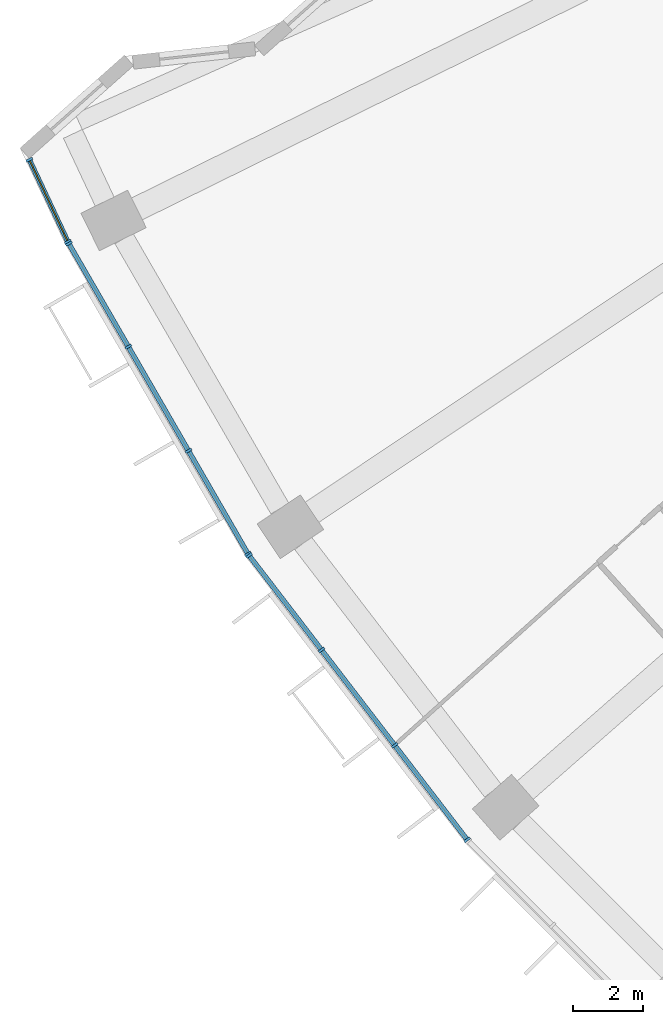
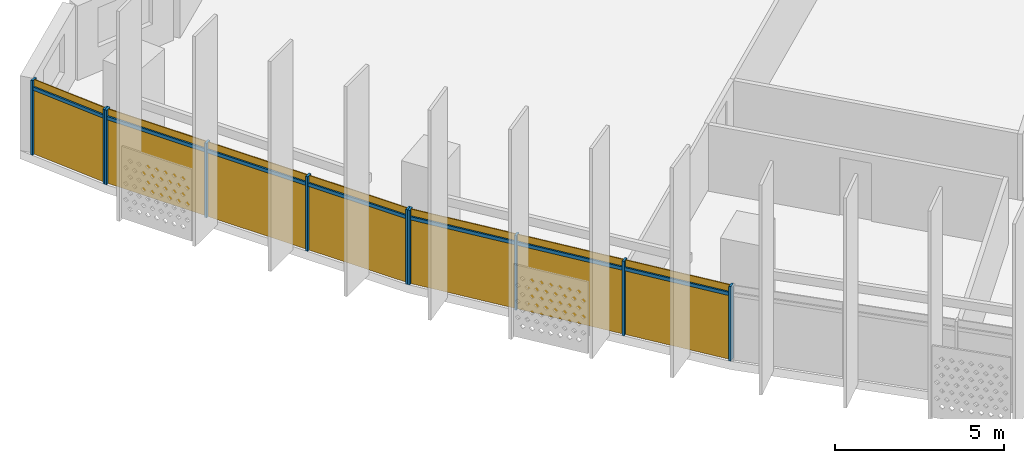
# One storey, part 21 of 30: 17 members, 3 curtain walls.
"""IFC4 building model written with IfcOpenShell, lengths in metres."""

from ifc_helpers import new_model, si_unit, direction, frame, origin, origin_2d, place, context, subcontext, project, spatial, rectangle, extrude, material, material_profile, profile_set, type_object, element, aggregate, save


model = new_model("IFC4")

# Units and contexts
model_context = context("Model", 3, precision=1e-05, world=origin(), true_north=direction((0.0, 1.0)))
body_context = subcontext(model_context, "Body", "Model", "MODEL_VIEW")
ifc_project = project(units=[si_unit("LENGTHUNIT", "METRE"), si_unit("AREAUNIT", "SQUARE_METRE"), si_unit("VOLUMEUNIT", "CUBIC_METRE"), si_unit("PLANEANGLEUNIT", "RADIAN"), si_unit("MASSUNIT", "GRAM", prefix="KILO")], contexts=[model_context])

# Member
ifc_material = material(Name="Aluminium 6063-T6 anodised", Category="aluminium")
ifc_material_profile_1 = material_profile(ifc_material, rectangle(XDim=0.199951171875, YDim=0.070068359375, at=origin_2d()))
ifc_profile_set_1 = profile_set([ifc_material_profile_1], Name="Aluminium 6063-T6 anodised")
member_type_1 = type_object("IfcMemberType", Name="Mullion 70 x 200 aluminium", PredefinedType="MULLION", material=ifc_profile_set_1)
site_placement = place(None, origin())
building_placement = place(site_placement, origin())
storey_placement = place(building_placement, frame((0.0, 0.0, 125.300048828125)))
member_1_placement = place(storey_placement, frame((-72.1533203125, -32.64111328125, 0.0), z_axis=(0.0, 0.0, 1.0), x_axis=(0.90523944049, 0.424901818519, 0.0)))
member_1 = element("IfcMember", 1, at=member_1_placement, type_object=member_type_1, Name="e-cw1-L28-out00/M00", PredefinedType="MULLION", context=body_context, shape_type="SweptSolid", body=[
    extrude(rectangle(XDim=0.199951171875, YDim=0.070068359375, at=origin_2d()), origin(), (0.0, 0.0, 1.0), 2.699951171875),
])

member_2_placement = place(storey_placement, frame((-71.04638671875, -34.999267578125, 0.0), z_axis=(0.0, 0.0, 1.0), x_axis=(0.90523944049, 0.424901818519, 0.0)))
member_2 = element("IfcMember", 2, at=member_2_placement, type_object=member_type_1, Name="e-cw1-L28-out00/M01", PredefinedType="MULLION", context=body_context, shape_type="SweptSolid", body=[
    extrude(rectangle(XDim=0.199951171875, YDim=0.070068359375, at=origin_2d()), origin(), (0.0, 0.0, 1.0), 2.699951171875),
])

member_3_placement = place(storey_placement, frame((-71.017822265625, -35.0537109375, 0.0), z_axis=(0.0, 0.0, 1.0), x_axis=(0.866025403784, 0.5, 0.0)))
member_3 = element("IfcMember", 3, at=member_3_placement, type_object=member_type_1, Name="e-cw1-L28-out01/M00", PredefinedType="MULLION", context=body_context, shape_type="SweptSolid", body=[
    extrude(rectangle(XDim=0.199951171875, YDim=0.070068359375, at=origin_2d()), origin(), (0.0, 0.0, 1.0), 2.699951171875),
])

member_4_placement = place(storey_placement, frame((-69.306640625, -38.017822265625, 0.0), z_axis=(0.0, 0.0, 1.0), x_axis=(0.866025403784, 0.5, 0.0)))
member_4 = element("IfcMember", 4, at=member_4_placement, type_object=member_type_1, Name="e-cw1-L28-out01/M01", PredefinedType="MULLION", context=body_context, shape_type="SweptSolid", body=[
    extrude(rectangle(XDim=0.199951171875, YDim=0.070068359375, at=origin_2d()), origin(), (0.0, 0.0, 1.0), 2.699951171875),
])

member_5_placement = place(storey_placement, frame((-67.577880859375, -41.01220703125, 0.0), z_axis=(0.0, 0.0, 1.0), x_axis=(0.866025403784, 0.5, 0.0)))
member_5 = element("IfcMember", 5, at=member_5_placement, type_object=member_type_1, Name="e-cw1-L28-out01/M02", PredefinedType="MULLION", context=body_context, shape_type="SweptSolid", body=[
    extrude(rectangle(XDim=0.199951171875, YDim=0.070068359375, at=origin_2d()), origin(), (0.0, 0.0, 1.0), 2.699951171875),
])

member_6_placement = place(storey_placement, frame((-65.866455078125, -43.976318359375, 0.0), z_axis=(0.0, 0.0, 1.0), x_axis=(0.866025403784, 0.5, 0.0)))
member_6 = element("IfcMember", 6, at=member_6_placement, type_object=member_type_1, Name="e-cw1-L28-out01/M03", PredefinedType="MULLION", context=body_context, shape_type="SweptSolid", body=[
    extrude(rectangle(XDim=0.199951171875, YDim=0.070068359375, at=origin_2d()), origin(), (0.0, 0.0, 1.0), 2.699951171875),
])

member_7_placement = place(storey_placement, frame((-65.8349609375, -44.023681640625, 0.0), z_axis=(0.0, 0.0, 1.0), x_axis=(0.793353340291, 0.608761429009, 0.0)))
member_7 = element("IfcMember", 7, at=member_7_placement, type_object=member_type_1, Name="e-cw1-L28-out02/M00", PredefinedType="MULLION", context=body_context, shape_type="SweptSolid", body=[
    extrude(rectangle(XDim=0.199951171875, YDim=0.070068359375, at=origin_2d()), origin(), (0.0, 0.0, 1.0), 2.699951171875),
])

member_8_placement = place(storey_placement, frame((-63.751220703125, -46.739013671875, 0.0), z_axis=(0.0, 0.0, 1.0), x_axis=(0.793353340291, 0.608761429009, 0.0)))
member_8 = element("IfcMember", 8, at=member_8_placement, type_object=member_type_1, Name="e-cw1-L28-out02/M01", PredefinedType="MULLION", context=body_context, shape_type="SweptSolid", body=[
    extrude(rectangle(XDim=0.199951171875, YDim=0.070068359375, at=origin_2d()), origin(), (0.0, 0.0, 1.0), 2.699951171875),
])

member_9_placement = place(storey_placement, frame((-61.646484375, -49.482177734375, 0.0), z_axis=(0.0, 0.0, 1.0), x_axis=(0.793353340291, 0.608761429009, 0.0)))
member_9 = element("IfcMember", 9, at=member_9_placement, type_object=member_type_1, Name="e-cw1-L28-out02/M02", PredefinedType="MULLION", context=body_context, shape_type="SweptSolid", body=[
    extrude(rectangle(XDim=0.199951171875, YDim=0.070068359375, at=origin_2d()), origin(), (0.0, 0.0, 1.0), 2.699951171875),
])

member_10_placement = place(storey_placement, frame((-59.56298828125, -52.197509765625, 0.0), z_axis=(0.0, 0.0, 1.0), x_axis=(0.793353340291, 0.608761429009, 0.0)))
member_10 = element("IfcMember", 10, at=member_10_placement, type_object=member_type_1, Name="e-cw1-L28-out02/M03", PredefinedType="MULLION", context=body_context, shape_type="SweptSolid", body=[
    extrude(rectangle(XDim=0.199951171875, YDim=0.070068359375, at=origin_2d()), origin(), (0.0, 0.0, 1.0), 2.699951171875),
])

ifc_material_profile_2 = material_profile(ifc_material, rectangle(XDim=0.139892578125, YDim=0.1201171875, at=origin_2d()))
ifc_profile_set_2 = profile_set([ifc_material_profile_2], Name="Aluminium 6063-T6 anodised")
member_type_2 = type_object("IfcMemberType", Name="Transom 120 x 140 aluminium", PredefinedType="USERDEFINED", material=ifc_profile_set_2)
member_11_placement = place(storey_placement, frame((-72.138427734375, -32.6728515625, 2.39990234375), z_axis=(0.424924854242, -0.905228627611, 0.0), x_axis=(0.905228627611, 0.424924854242, 0.0)))
member_11 = element("IfcMember", 11, at=member_11_placement, type_object=member_type_2, Name="e-cw1-L28-out00/T00", ObjectType="TRANSOM", PredefinedType="USERDEFINED", context=body_context, shape_type="SweptSolid", body=[
    extrude(rectangle(XDim=0.139892578125, YDim=0.1201171875, at=origin_2d()), origin(), (0.0, 0.0, 1.0), 2.534912109375),
])

member_12_placement = place(storey_placement, frame((-71.00048828125, -35.084228515625, 2.39990234375), z_axis=(0.50006283963, -0.865989120267, 0.0), x_axis=(0.865989120267, 0.50006283963, 0.0)))
member_12 = element("IfcMember", 12, at=member_12_placement, type_object=member_type_2, Name="e-cw1-L28-out01/T00", ObjectType="TRANSOM", PredefinedType="USERDEFINED", context=body_context, shape_type="SweptSolid", body=[
    extrude(rectangle(XDim=0.139892578125, YDim=0.1201171875, at=origin_2d()), origin(), (0.0, 0.0, 1.0), 3.3525390625),
])

member_13_placement = place(storey_placement, frame((-69.2890625, -38.048095703125, 2.39990234375), z_axis=(0.499999017107, -0.866025971257, 0.0), x_axis=(0.866025971257, 0.499999017107, 0.0)))
member_13 = element("IfcMember", 13, at=member_13_placement, type_object=member_type_2, Name="e-cw1-L28-out01/T01", ObjectType="TRANSOM", PredefinedType="USERDEFINED", context=body_context, shape_type="SweptSolid", body=[
    extrude(rectangle(XDim=0.139892578125, YDim=0.1201171875, at=origin_2d()), origin(), (0.0, 0.0, 1.0), 3.3876953125),
])

member_14_placement = place(storey_placement, frame((-67.560302734375, -41.042724609375, 2.39990234375), z_axis=(0.50000822536, -0.866020654818, 0.0), x_axis=(0.866020654818, 0.50000822536, 0.0)))
member_14 = element("IfcMember", 14, at=member_14_placement, type_object=member_type_2, Name="e-cw1-L28-out01/T02", ObjectType="TRANSOM", PredefinedType="USERDEFINED", context=body_context, shape_type="SweptSolid", body=[
    extrude(rectangle(XDim=0.139892578125, YDim=0.1201171875, at=origin_2d()), origin(), (0.0, 0.0, 1.0), 3.3525390625),
])

member_15_placement = place(storey_placement, frame((-65.8134765625, -44.05126953125, 2.39990234375), z_axis=(0.608714331426, -0.793389477316, 0.0), x_axis=(0.793389477316, 0.608714331426, 0.0)))
member_15 = element("IfcMember", 15, at=member_15_placement, type_object=member_type_2, Name="e-cw1-L28-out02/T00", ObjectType="TRANSOM", PredefinedType="USERDEFINED", context=body_context, shape_type="SweptSolid", body=[
    extrude(rectangle(XDim=0.139892578125, YDim=0.1201171875, at=origin_2d()), origin(), (0.0, 0.0, 1.0), 3.3525390625),
])

member_16_placement = place(storey_placement, frame((-63.72998046875, -46.766845703125, 2.39990234375), z_axis=(0.608773427772, -0.793344133173, 0.0), x_axis=(0.793344133173, 0.608773427772, 0.0)))
member_16 = element("IfcMember", 16, at=member_16_placement, type_object=member_type_2, Name="e-cw1-L28-out02/T01", ObjectType="TRANSOM", PredefinedType="USERDEFINED", context=body_context, shape_type="SweptSolid", body=[
    extrude(rectangle(XDim=0.139892578125, YDim=0.1201171875, at=origin_2d()), origin(), (0.0, 0.0, 1.0), 3.387451171875),
])

member_17_placement = place(storey_placement, frame((-61.625244140625, -49.509765625, 2.39990234375), z_axis=(0.608760167055, -0.793354308621, 0.0), x_axis=(0.793354308621, 0.608760167055, 0.0)))
member_17 = element("IfcMember", 17, at=member_17_placement, type_object=member_type_2, Name="e-cw1-L28-out02/T02", ObjectType="TRANSOM", PredefinedType="USERDEFINED", context=body_context, shape_type="SweptSolid", body=[
    extrude(rectangle(XDim=0.139892578125, YDim=0.1201171875, at=origin_2d()), origin(), (0.0, 0.0, 1.0), 3.352783203125),
])

# Site, building, storey
site = spatial("IfcSite", under=ifc_project, at=site_placement, CompositionType="ELEMENT")
building = spatial("IfcBuilding", under=site, at=building_placement, Name="Qamariyya Broadcast Tower", CompositionType="ELEMENT")
storey = spatial("IfcBuildingStorey", under=building, at=storey_placement, Name="L28", CompositionType="ELEMENT", Elevation=125.300048828125)

# Curtain wall
curtain_wall_type = type_object("IfcCurtainWallType", Name="Unitised curtain wall, anodised aluminium", PredefinedType="NOTDEFINED", material=ifc_material)
curtain_wall_1_placement = place(storey_placement, origin())
curtain_wall_1 = element("IfcCurtainWall", 18, at=curtain_wall_1_placement, inside=storey, type_object=curtain_wall_type, Name="e-cw1-L28-out00", PredefinedType="NOTDEFINED", context=body_context, shape_type="SweptSolid", body=[
    extrude(rectangle(XDim=2.53515625, YDim=0.031982421875, at=origin_2d()), frame((-71.599853515625, -33.8203125, 0.0), x_axis=(0.424917820605, -0.905231929249, 0.0)), (0.0, 0.0, 1.0), 2.340087890625),
    extrude(rectangle(XDim=2.53515625, YDim=0.031982421875, at=origin_2d()), frame((-71.599853515625, -33.8203125, 2.4599609375), x_axis=(0.424917820605, -0.905231929249, 0.0)), (0.0, 0.0, 1.0), 0.239990234375),
])

aggregate(curtain_wall_1, [member_1, member_2, member_11])

curtain_wall_2_placement = place(storey_placement, origin())
curtain_wall_2 = element("IfcCurtainWall", 19, at=curtain_wall_2_placement, inside=storey, type_object=curtain_wall_type, Name="e-cw1-L28-out01", PredefinedType="NOTDEFINED", context=body_context, shape_type="SweptSolid", body=[
    extrude(rectangle(XDim=3.352783203125, YDim=0.031982421875, at=origin_2d()), frame((-70.162109375, -36.535888671875, 0.0), x_axis=(0.499996813733, -0.866027243369, 0.0)), (0.0, 0.0, 1.0), 2.340087890625),
    extrude(rectangle(XDim=3.352783203125, YDim=0.031982421875, at=origin_2d()), frame((-70.162109375, -36.535888671875, 2.4599609375), x_axis=(0.499996813733, -0.866027243369, 0.0)), (0.0, 0.0, 1.0), 0.239990234375),
    extrude(rectangle(XDim=3.3876953125, YDim=0.031982421875, at=origin_2d()), frame((-68.442138671875, -39.51513671875, 0.0), x_axis=(0.499996813733, -0.866027243369, 0.0)), (0.0, 0.0, 1.0), 2.340087890625),
    extrude(rectangle(XDim=3.3876953125, YDim=0.031982421875, at=origin_2d()), frame((-68.442138671875, -39.51513671875, 2.4599609375), x_axis=(0.499996813733, -0.866027243369, 0.0)), (0.0, 0.0, 1.0), 0.239990234375),
    extrude(rectangle(XDim=3.352783203125, YDim=0.031982421875, at=origin_2d()), frame((-66.72216796875, -42.494384765625, 0.0), x_axis=(0.499996813733, -0.866027243369, 0.0)), (0.0, 0.0, 1.0), 2.340087890625),
    extrude(rectangle(XDim=3.352783203125, YDim=0.031982421875, at=origin_2d()), frame((-66.72216796875, -42.494384765625, 2.4599609375), x_axis=(0.499996813733, -0.866027243369, 0.0)), (0.0, 0.0, 1.0), 0.239990234375),
])

aggregate(curtain_wall_2, [member_3, member_4, member_5, member_6, member_12, member_13, member_14])

curtain_wall_3_placement = place(storey_placement, origin())
curtain_wall_3 = element("IfcCurtainWall", 20, at=curtain_wall_3_placement, inside=storey, type_object=curtain_wall_type, Name="e-cw1-L28-out02", PredefinedType="NOTDEFINED", context=body_context, shape_type="SweptSolid", body=[
    extrude(rectangle(XDim=3.352783203125, YDim=0.031982421875, at=origin_2d()), frame((-64.793212890625, -45.38134765625, 0.0), x_axis=(0.608760568165, -0.793354000839, 0.0)), (0.0, 0.0, 1.0), 2.340087890625),
    extrude(rectangle(XDim=3.352783203125, YDim=0.031982421875, at=origin_2d()), frame((-64.793212890625, -45.38134765625, 2.4599609375), x_axis=(0.608760568165, -0.793354000839, 0.0)), (0.0, 0.0, 1.0), 0.239990234375),
    extrude(rectangle(XDim=3.3876953125, YDim=0.031982421875, at=origin_2d()), frame((-62.69873046875, -48.110595703125, 0.0), x_axis=(0.608760568165, -0.793354000839, 0.0)), (0.0, 0.0, 1.0), 2.340087890625),
    extrude(rectangle(XDim=3.3876953125, YDim=0.031982421875, at=origin_2d()), frame((-62.69873046875, -48.110595703125, 2.4599609375), x_axis=(0.608760568165, -0.793354000839, 0.0)), (0.0, 0.0, 1.0), 0.239990234375),
    extrude(rectangle(XDim=3.352783203125, YDim=0.031982421875, at=origin_2d()), frame((-60.6044921875, -50.83984375, 0.0), x_axis=(0.608760568165, -0.793354000839, 0.0)), (0.0, 0.0, 1.0), 2.340087890625),
    extrude(rectangle(XDim=3.352783203125, YDim=0.031982421875, at=origin_2d()), frame((-60.6044921875, -50.83984375, 2.4599609375), x_axis=(0.608760568165, -0.793354000839, 0.0)), (0.0, 0.0, 1.0), 0.239990234375),
])

aggregate(curtain_wall_3, [member_7, member_8, member_9, member_10, member_15, member_16, member_17])

save(model, "model.ifc")
